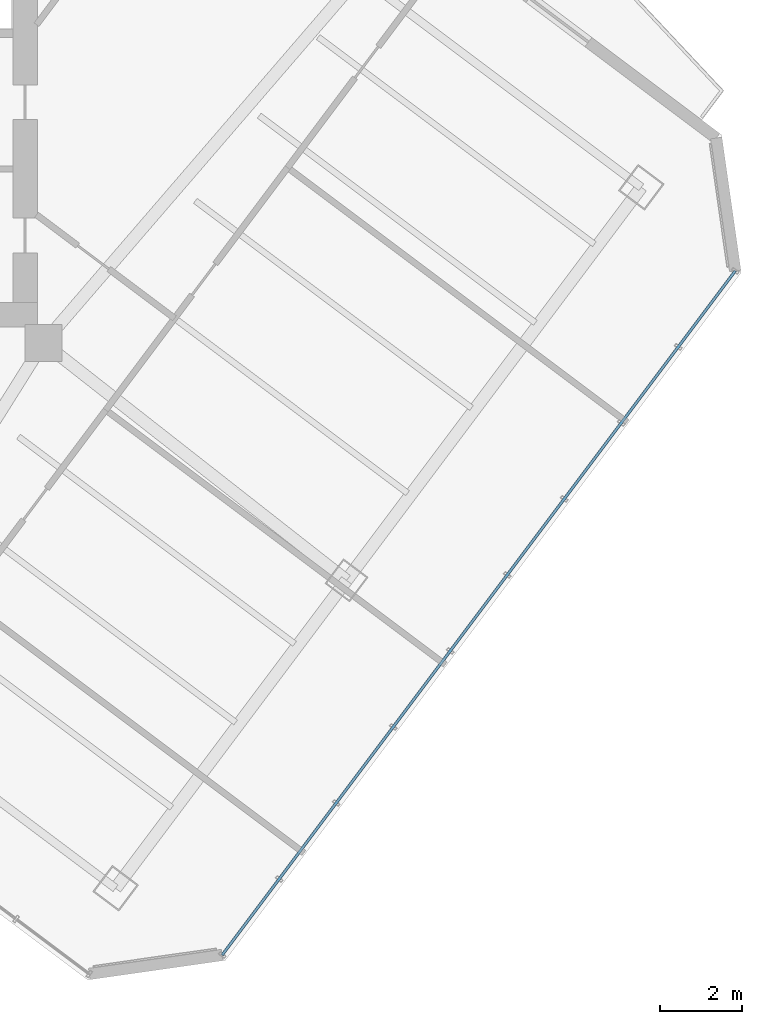
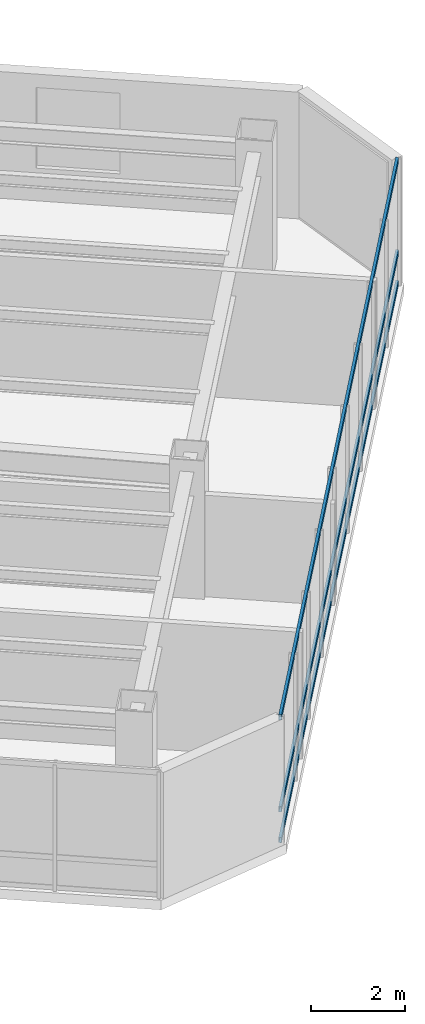
# One storey, part 15 of 29: 3 members, 1 element without a shape of its own.
"""IFC4 building model written with IfcOpenShell, lengths in metres."""

from ifc_helpers import new_model, si_unit, direction, frame, origin, origin_2d, place, context, subcontext, project, spatial, hollow_rectangle, extrude, material, layer, layer_set, material_profile, profile_set, type_object, element, aggregate, save


model = new_model("IFC4")

# Units and contexts
model_context = context("Model", 3, precision=1e-05, world=origin(), true_north=direction((0.0, 1.0)))
body_context = subcontext(model_context, "Body", "Model", "MODEL_VIEW")
ifc_project = project(units=[si_unit("LENGTHUNIT", "METRE"), si_unit("AREAUNIT", "SQUARE_METRE"), si_unit("VOLUMEUNIT", "CUBIC_METRE"), si_unit("PLANEANGLEUNIT", "RADIAN"), si_unit("MASSUNIT", "GRAM", prefix="KILO")], contexts=[model_context])

# Site, building, storey
site_placement = place(None, origin())
site = spatial("IfcSite", under=ifc_project, at=site_placement, CompositionType="ELEMENT")
building_placement = place(site_placement, origin())
building = spatial("IfcBuilding", under=site, at=building_placement, Name="Hatsunagi Terrace Concourse", CompositionType="ELEMENT")
storey_placement = place(building_placement, frame((0.0, 0.0, 178.050048828125)))
storey = spatial("IfcBuildingStorey", under=building, at=storey_placement, Name="L47", CompositionType="ELEMENT", Elevation=178.050048828125)

# Curtain wall, members
ifc_material_1 = material(Name="Anodised Aluminium Alloy 6063-T5", Category="aluminium")
ifc_layer = layer(ifc_material_1, 0.199951171875)
ifc_layer_set = layer_set([ifc_layer], Name="OfficeZone1_CW03")
curtain_wall_type = type_object("IfcCurtainWallType", Name="OfficeZone1_CW03", PredefinedType="NOTDEFINED", material=ifc_layer_set)
curtain_wall_placement = place(storey_placement, origin())
curtain_wall = element("IfcCurtainWall", 1, at=curtain_wall_placement, inside=storey, type_object=curtain_wall_type, Name="Unitised Curtain Wall CW-03 CW-L47-03", PredefinedType="NOTDEFINED")
ifc_material_2 = material(Name="Anodised Aluminium Alloy 6063-T5", Category="aluminium")
ifc_material_profile = material_profile(ifc_material_2, hollow_rectangle(XDim=0.06494140625, YDim=0.139892578125, WallThickness=0.00390625, at=origin_2d()), Name="ALU-TRN-140x65x4")
ifc_profile_set = profile_set([ifc_material_profile], Name="Anodised Aluminium Alloy 6063-T5")
member_type = type_object("IfcMemberType", Name="CurtainWallTransom_140x65", PredefinedType="USERDEFINED", material=ifc_profile_set)
member_1_placement = place(storey_placement, frame((60.693115234375, 25.9580078125, 0.050048828125), z_axis=(-0.599970072971, -0.800022444397, 0.0), x_axis=(0.800022444397, -0.599970072971, 0.0)))
member_1 = element("IfcMember", 2, at=member_1_placement, type_object=member_type, Name="Curtain Wall Transom TRN-02", ObjectType="TRANSOM", PredefinedType="USERDEFINED", context=body_context, shape_type="SweptSolid", body=[
    extrude(hollow_rectangle(XDim=0.06494140625, YDim=0.139892578125, WallThickness=0.00390625, at=origin_2d()), origin(), (0.0, 0.0, 1.0), 20.884521484375),
])
member_2_placement = place(storey_placement, frame((60.693115234375, 25.9580078125, 0.849853515625), z_axis=(-0.599970072971, -0.800022444397, 0.0), x_axis=(0.800022444397, -0.599970072971, 0.0)))
member_2 = element("IfcMember", 3, at=member_2_placement, type_object=member_type, Name="Curtain Wall Transom TRN-02", ObjectType="TRANSOM", PredefinedType="USERDEFINED", context=body_context, shape_type="SweptSolid", body=[
    extrude(hollow_rectangle(XDim=0.06494140625, YDim=0.139892578125, WallThickness=0.00390625, at=origin_2d()), origin(), (0.0, 0.0, 1.0), 20.884521484375),
])
member_3_placement = place(storey_placement, frame((60.693115234375, 25.9580078125, 3.25), z_axis=(-0.599970072971, -0.800022444397, 0.0), x_axis=(0.800022444397, -0.599970072971, 0.0)))
member_3 = element("IfcMember", 4, at=member_3_placement, type_object=member_type, Name="Curtain Wall Transom TRN-02", ObjectType="TRANSOM", PredefinedType="USERDEFINED", context=body_context, shape_type="SweptSolid", body=[
    extrude(hollow_rectangle(XDim=0.06494140625, YDim=0.139892578125, WallThickness=0.00390625, at=origin_2d()), origin(), (0.0, 0.0, 1.0), 20.884521484375),
])
aggregate(curtain_wall, [member_1, member_2, member_3])

save(model, "model.ifc")
